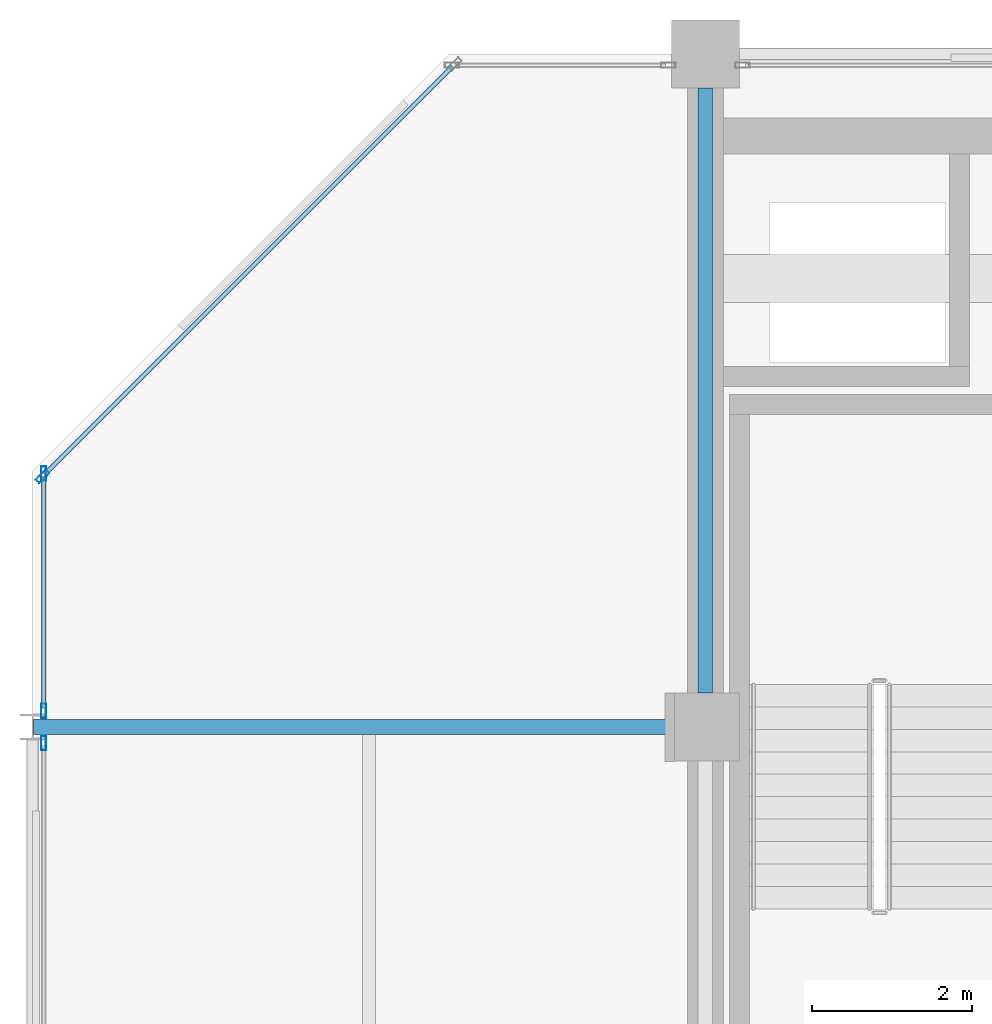
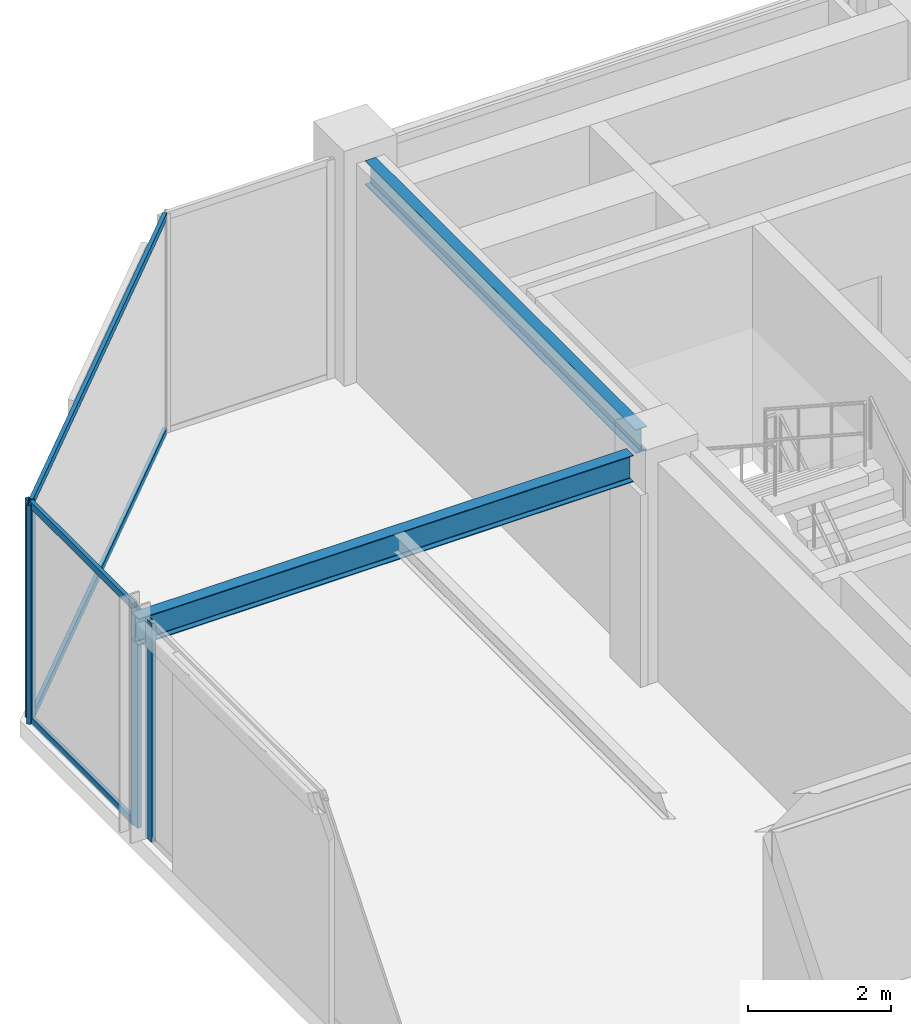
# One storey, part 17 of 26: 8 members, 2 beams, 3 elements without a shape of their own.
"""IFC4 building model written with IfcOpenShell, lengths in metres."""

import ifcopenshell
import ifcopenshell.guid

model = None  # the IFC model being written
_history = None  # IfcOwnerHistory: only IFC2X3 demands one
_inside = {}  # id of a spatial element -> (the spatial element, [elements in it])
_under = {}  # id of a project, library or spatial element -> (it, [spatial elements below it])
_declared = {}  # id of a project -> (the project, [libraries it declares])
_typed = {}  # id of a type object -> (the type object, [elements of that type])
_made_of = {}  # id of a material, layer set ... -> (it, [elements and type objects made of it])


def new_model(schema):
    """Start an empty IFC model of exactly this schema.

    Asked for "IFC4X3", IfcOpenShell would pick the latest addendum, in which some entities
    have other attributes; the version numbers below select the first issue.
    IFC2X3 requires an IfcOwnerHistory on every rooted entity: one is made here for all.
    """
    global model, _history
    if schema == "IFC4X3":
        model = ifcopenshell.file(schema_version=(4, 3, 0, 0))
    else:
        model = ifcopenshell.file(schema=schema)
    _inside.clear()
    _under.clear()
    _declared.clear()
    _typed.clear()
    _made_of.clear()
    _history = None
    if model.schema == "IFC2X3":
        org = make("IfcOrganization", Name="unknown")
        user = make(
            "IfcPersonAndOrganization",
            ThePerson=make("IfcPerson", FamilyName="unknown"),
            TheOrganization=org,
        )
        app = make(
            "IfcApplication",
            ApplicationDeveloper=org,
            Version="unknown",
            ApplicationFullName="unknown",
            ApplicationIdentifier="unknown",
        )
        _history = make(
            "IfcOwnerHistory",
            OwningUser=user,
            OwningApplication=app,
            ChangeAction="ADDED",
            CreationDate=0,
        )
    return model


def make(cls, **values):
    """One entity of the class cls with the attributes given. An attribute that is None is left unset."""
    return model.create_entity(
        cls, **{name: value for name, value in values.items() if value is not None}
    )


def rooted(cls, **values):
    """An entity with a GlobalId (a new one), such as an element, a storey or a relation."""
    return make(cls, GlobalId=ifcopenshell.guid.new(), OwnerHistory=_history, **values)


def si_unit(unit_type, name, prefix=None):
    """IfcSIUnit, for example si_unit("LENGTHUNIT", "METRE", prefix="MILLI")."""
    return make("IfcSIUnit", UnitType=unit_type, Prefix=prefix, Name=name)


def assignment(units):
    """IfcUnitAssignment: the units of a project."""
    return None if units is None else make("IfcUnitAssignment", Units=units)


def point(xyz):
    """IfcCartesianPoint."""
    return None if xyz is None else make("IfcCartesianPoint", Coordinates=xyz)


def direction(xyz):
    """IfcDirection."""
    return None if xyz is None else make("IfcDirection", DirectionRatios=xyz)


def frame(location, z_axis=None, x_axis=None):
    """IfcAxis2Placement3D, a coordinate frame: its origin and axes. An axis left out is left unset."""
    return make(
        "IfcAxis2Placement3D",
        Location=point(location),
        Axis=direction(z_axis),
        RefDirection=direction(x_axis),
    )


def frame_2d(location, x_axis=None):
    """IfcAxis2Placement2D, a coordinate frame in the plane: its origin and x axis."""
    return make(
        "IfcAxis2Placement2D", Location=point(location), RefDirection=direction(x_axis)
    )


def origin():
    """The frame at (0, 0, 0) with its axes left unset."""
    return frame((0.0, 0.0, 0.0))


def origin_2d():
    """The frame at (0, 0) in the plane with its x axis left unset."""
    return frame_2d((0.0, 0.0))


def place(relative_to, where):
    """IfcLocalPlacement: puts the frame where relative to a parent placement (None: the world)."""
    return make(
        "IfcLocalPlacement", PlacementRelTo=relative_to, RelativePlacement=where
    )


def context(
    kind, dimensions, precision=None, world=None, true_north=None, identifier=None
):
    """IfcGeometricRepresentationContext, for example the 3D "Model" context."""
    return make(
        "IfcGeometricRepresentationContext",
        ContextIdentifier=identifier,
        ContextType=kind,
        CoordinateSpaceDimension=dimensions,
        Precision=precision,
        WorldCoordinateSystem=world,
        TrueNorth=true_north,
    )


def subcontext(parent, identifier, kind, view, scale=None):
    """IfcGeometricRepresentationSubContext, for example "Body" below "Model"."""
    return make(
        "IfcGeometricRepresentationSubContext",
        ContextIdentifier=identifier,
        ContextType=kind,
        ParentContext=parent,
        TargetScale=scale,
        TargetView=view,
    )


def project(units=None, contexts=None):
    """IfcProject with its units and contexts."""
    return rooted(
        "IfcProject",
        Name="project",
        RepresentationContexts=contexts,
        UnitsInContext=assignment(units),
    )


def spatial(cls, under=None, at=None, **own):
    """A site, building, storey or space (cls), placed at a placement, below another one or the project."""
    s = rooted(cls, ObjectPlacement=at, **own)
    if under is not None:
        _under.setdefault(under.id(), (under, []))[1].append(s)
    return s


def profile(cls, at=None, kind="AREA", **sizes):
    """A parametric profile (cls). Its sizes go by their IFC names, for example OverallWidth=200.0."""
    return make(cls, ProfileType=kind, Position=at, **sizes)


def hollow_rectangle(**sizes):
    """IfcRectangleHollowProfileDef."""
    return profile("IfcRectangleHollowProfileDef", **sizes)


def i_section(**sizes):
    """IfcIShapeProfileDef."""
    return profile("IfcIShapeProfileDef", **sizes)


def extrude(swept, where, along, depth):
    """IfcExtrudedAreaSolid: the profile swept, set in the frame where, extruded along a direction by depth."""
    return make(
        "IfcExtrudedAreaSolid",
        SweptArea=swept,
        Position=where,
        ExtrudedDirection=direction(along),
        Depth=depth,
    )


def shape(context_of_items, identifier, shape_type, items):
    """IfcShapeRepresentation: the items that make up one representation, for example the "Body"."""
    return make(
        "IfcShapeRepresentation",
        ContextOfItems=context_of_items,
        RepresentationIdentifier=identifier,
        RepresentationType=shape_type,
        Items=items,
    )


def material(Name=None, Category=None):
    """IfcMaterial."""
    return make("IfcMaterial", Name=Name, Category=Category)


def layer(
    of_material, thickness, ventilated=None, Name=None, Category=None, Priority=None
):
    """IfcMaterialLayer: one layer of a wall or slab, of a material (None: an air gap)."""
    return make(
        "IfcMaterialLayer",
        Material=of_material,
        LayerThickness=thickness,
        IsVentilated=ventilated,
        Name=Name,
        Category=Category,
        Priority=Priority,
    )


def layer_set(layers, Name=None):
    """IfcMaterialLayerSet."""
    return make("IfcMaterialLayerSet", MaterialLayers=layers, LayerSetName=Name)


def material_profile(
    of_material, cross_section, Name=None, Category=None, Priority=None
):
    """IfcMaterialProfile: a cross section and its material."""
    return make(
        "IfcMaterialProfile",
        Name=Name,
        Material=of_material,
        Profile=cross_section,
        Priority=Priority,
        Category=Category,
    )


def profile_set(profiles, Name=None, composite=None):
    """IfcMaterialProfileSet."""
    return make(
        "IfcMaterialProfileSet",
        Name=Name,
        MaterialProfiles=profiles,
        CompositeProfile=composite,
    )


def made_of(thing, what):
    """Note that an element or type object is made of a material, layer set ...; save() writes the relation."""
    if what is not None:
        _made_of.setdefault(what.id(), (what, []))[1].append(thing)
    return thing


def type_object(cls, material=None, **own):
    """A type object (cls), such as IfcWallType, which elements share."""
    return made_of(rooted(cls, **own), material)


def element(
    cls,
    number,
    at=None,
    inside=None,
    cuts=None,
    type_object=None,
    material=None,
    context=None,
    identifier="Body",
    shape_type=None,
    held_by="IfcProductDefinitionShape",
    body=None,
    shapes=None,
    **own,
):
    """One element of the class cls, such as IfcWall. Its Tag is "e" and its number.

    at: its placement. inside: the storey or other place that contains it. cuts: it is an
    opening in that element (IfcRelVoidsElement). A single representation is given by context,
    identifier, shape_type and body (its items); several are given by shapes. held_by: the class
    of the entity that holds the representations. save() writes the other relations.
    """
    e = rooted(cls, Tag="e%d" % number, ObjectPlacement=at, **own)
    if body is not None:
        shapes = [shape(context, identifier, shape_type, body)]
    if shapes is not None:
        e.Representation = make(held_by, Representations=shapes)
    if inside is not None:
        _inside.setdefault(inside.id(), (inside, []))[1].append(e)
    if cuts is not None:
        rooted(
            "IfcRelVoidsElement", RelatingBuildingElement=cuts, RelatedOpeningElement=e
        )
    if type_object is not None:
        _typed.setdefault(type_object.id(), (type_object, []))[1].append(e)
    return made_of(e, material)


def aggregate(whole, parts):
    """IfcRelAggregates: a whole, such as a stair, and the parts it consists of."""
    return rooted("IfcRelAggregates", RelatingObject=whole, RelatedObjects=parts)


def save(model, path):
    """Write the relations noted so far, then the file.

    IfcRelAggregates (storeys below a building ...), IfcRelContainedInSpatialStructure (elements
    in a storey), IfcRelDefinesByType, IfcRelAssociatesMaterial and IfcRelDeclares: one each for
    every whole, place, type object, material and project.
    """
    for whole, parts in _under.values():
        aggregate(whole, parts)
    for where, things in _inside.values():
        rooted(
            "IfcRelContainedInSpatialStructure",
            RelatedElements=things,
            RelatingStructure=where,
        )
    for kind, things in _typed.values():
        rooted("IfcRelDefinesByType", RelatedObjects=things, RelatingType=kind)
    for what, things in _made_of.values():
        rooted("IfcRelAssociatesMaterial", RelatedObjects=things, RelatingMaterial=what)
    for by, libraries in _declared.values():
        rooted("IfcRelDeclares", RelatingContext=by, RelatedDefinitions=libraries)
    model.write(path)


model = new_model("IFC4")

# Units and contexts
model_context = context("Model", 3, precision=1e-05, world=origin(), true_north=direction((0.0, 1.0)))
body_context = subcontext(model_context, "Body", "Model", "MODEL_VIEW")
ifc_project = project(units=[si_unit("LENGTHUNIT", "METRE"), si_unit("AREAUNIT", "SQUARE_METRE"), si_unit("VOLUMEUNIT", "CUBIC_METRE"), si_unit("PLANEANGLEUNIT", "RADIAN"), si_unit("MASSUNIT", "GRAM", prefix="KILO")], contexts=[model_context])

# Site, building, storey
site_placement = place(None, origin())
site = spatial("IfcSite", under=ifc_project, at=site_placement, CompositionType="ELEMENT")
building_placement = place(site_placement, origin())
building = spatial("IfcBuilding", under=site, at=building_placement, Name="Nerrivon Quay Data Exchange", CompositionType="ELEMENT")
storey_placement = place(building_placement, frame((0.0, 0.0, 274.199951171875)))
storey = spatial("IfcBuildingStorey", under=building, at=storey_placement, Name="L65", CompositionType="ELEMENT", Elevation=274.199951171875)

# Beams
ifc_material_1 = material(Name="Steel Grade 350", Category="steel")
ifc_material_profile_1 = material_profile(ifc_material_1, i_section(OverallWidth=0.18994140625, OverallDepth=0.4541015625, WebThickness=0.008544921875, FlangeThickness=0.0126953125, FilletRadius=0.011474609375, at=origin_2d()), Name="460UB67.1")
ifc_profile_set_1 = profile_set([ifc_material_profile_1], Name="Steel Grade 350")
beam_type_1 = type_object("IfcBeamType", Name="BM-G6-460UB67", PredefinedType="BEAM", material=ifc_profile_set_1)
beam_1_placement = place(storey_placement, frame((0.0078125, 33.60009765625, 3.498046875), z_axis=(1.0, 0.0, 0.0), x_axis=(0.0, 1.0, 0.0)))
element("IfcBeam", 1, at=beam_1_placement, inside=storey, type_object=beam_type_1, Name="L65 EW Girder Y=33.6 (0.0..8.4)", PredefinedType="BEAM", context=body_context, shape_type="SweptSolid", body=[
    extrude(i_section(OverallWidth=0.18994140625, OverallDepth=0.4541015625, WebThickness=0.008544921875, FlangeThickness=0.0126953125, FilletRadius=0.011474609375, at=origin_2d()), origin(), (0.0, 0.0, 1.0), 7.96728515625),
])
ifc_material_profile_2 = material_profile(ifc_material_1, i_section(OverallWidth=0.177978515625, OverallDepth=0.406005859375, WebThickness=0.0078125, FlangeThickness=0.0126953125, FilletRadius=0.011474609375, at=origin_2d()), Name="410UB59.7")
ifc_profile_set_2 = profile_set([ifc_material_profile_2], Name="Steel Grade 350")
beam_type_2 = type_object("IfcBeamType", Name="BM-J1-410UB60", PredefinedType="JOIST", material=ifc_profile_set_2)
beam_2_placement = place(storey_placement, frame((8.39990234375, 34.02490234375, 3.52197265625), z_axis=(0.0, 1.0, 0.0), x_axis=(-1.0, 0.0, 0.0)))
element("IfcBeam", 2, at=beam_2_placement, inside=storey, type_object=beam_type_2, Name="L65 NS Girder X=8.4 (33.6..42.0)", PredefinedType="JOIST", context=body_context, shape_type="SweptSolid", body=[
    extrude(i_section(OverallWidth=0.177978515625, OverallDepth=0.406005859375, WebThickness=0.0078125, FlangeThickness=0.0126953125, FilletRadius=0.011474609375, at=origin_2d()), origin(), (0.0, 0.0, 1.0), 7.550048828125),
])

# Curtain wall, member
ifc_material_2 = material(Name="Anodised aluminium 6063-T6", Category="aluminium")
ifc_layer = layer(ifc_material_2, 0.195068359375)
ifc_layer_set = layer_set([ifc_layer], Name="Anodised aluminium 6063-T6")
curtain_wall_type = type_object("IfcCurtainWallType", Name="CW-SYS-06", PredefinedType="NOTDEFINED", material=ifc_layer_set)
curtain_wall_1_placement = place(storey_placement, origin())
curtain_wall_1 = element("IfcCurtainWall", 3, at=curtain_wall_1_placement, inside=storey, type_object=curtain_wall_type, Name="L65 Unitised Curtain Wall 14", PredefinedType="NOTDEFINED")
ifc_material_profile_3 = material_profile(ifc_material_2, hollow_rectangle(XDim=0.06494140625, YDim=0.179931640625, WallThickness=0.00341796875, at=origin_2d()), Name="ALU-MULL-180x65")
ifc_profile_set_3 = profile_set([ifc_material_profile_3], Name="Anodised aluminium 6063-T6")
member_type_1 = type_object("IfcMemberType", Name="CWM-180x65", PredefinedType="MULLION", material=ifc_profile_set_3)
member_1_placement = place(storey_placement, frame((0.139892578125, 33.39892578125, 0.0), z_axis=(0.0, 0.0, 1.0), x_axis=(-1.0, 0.0, 0.0)))
member_1 = element("IfcMember", 4, at=member_1_placement, type_object=member_type_1, Name="CW06 mullion 2", PredefinedType="MULLION", context=body_context, shape_type="SweptSolid", body=[
    extrude(hollow_rectangle(XDim=0.06494140625, YDim=0.179931640625, WallThickness=0.00341796875, at=origin_2d()), origin(), (0.0, 0.0, 1.0), 3.72509765625),
])
aggregate(curtain_wall_1, [member_1])

# Curtain wall, members
curtain_wall_2_placement = place(storey_placement, origin())
curtain_wall_2 = element("IfcCurtainWall", 5, at=curtain_wall_2_placement, inside=storey, type_object=curtain_wall_type, Name="L65 Unitised Curtain Wall 15", PredefinedType="NOTDEFINED")
member_2_placement = place(storey_placement, frame((0.139892578125, 33.801025390625, 0.0), z_axis=(0.0, 0.0, 1.0), x_axis=(-1.0, 0.0, 0.0)))
member_2 = element("IfcMember", 6, at=member_2_placement, type_object=member_type_1, Name="CW06 mullion 1", PredefinedType="MULLION", context=body_context, shape_type="SweptSolid", body=[
    extrude(hollow_rectangle(XDim=0.06494140625, YDim=0.179931640625, WallThickness=0.00341796875, at=origin_2d()), origin(), (0.0, 0.0, 1.0), 3.72509765625),
])
member_3_placement = place(storey_placement, frame((0.139892578125, 36.762451171875, 0.0), z_axis=(0.0, 0.0, 1.0), x_axis=(-1.0, 0.0, 0.0)))
member_3 = element("IfcMember", 7, at=member_3_placement, type_object=member_type_1, Name="CW06 mullion 2", PredefinedType="MULLION", context=body_context, shape_type="SweptSolid", body=[
    extrude(hollow_rectangle(XDim=0.06494140625, YDim=0.179931640625, WallThickness=0.00341796875, at=origin_2d()), origin(), (0.0, 0.0, 1.0), 3.72509765625),
])

# Curtain wall, member
curtain_wall_3_placement = place(storey_placement, origin())
curtain_wall_3 = element("IfcCurtainWall", 8, at=curtain_wall_3_placement, inside=storey, type_object=curtain_wall_type, Name="L65 Unitised Curtain Wall 16", PredefinedType="NOTDEFINED")
member_4_placement = place(storey_placement, frame((0.12548828125, 36.7275390625, 0.0), z_axis=(0.0, 0.0, 1.0), x_axis=(-0.707106781187, 0.707106781187, 0.0)))
member_4 = element("IfcMember", 9, at=member_4_placement, type_object=member_type_1, Name="CW06 mullion 1", PredefinedType="MULLION", context=body_context, shape_type="SweptSolid", body=[
    extrude(hollow_rectangle(XDim=0.06494140625, YDim=0.179931640625, WallThickness=0.00341796875, at=origin_2d()), origin(), (0.0, 0.0, 1.0), 3.72509765625),
])

# Member
ifc_material_profile_4 = material_profile(ifc_material_2, hollow_rectangle(XDim=0.06005859375, YDim=0.1201171875, WallThickness=0.003173828125, at=origin_2d()), Name="ALU-TRAN-120x60")
ifc_profile_set_4 = profile_set([ifc_material_profile_4], Name="Anodised aluminium 6063-T6")
member_type_2 = type_object("IfcMemberType", Name="CWT-120x60", PredefinedType="USERDEFINED", material=ifc_profile_set_4)
member_5_placement = place(storey_placement, frame((0.139892578125, 33.83837890625, 0.032470703125), z_axis=(0.0, 1.0, 0.0), x_axis=(-1.0, 0.0, 0.0)))
member_5 = element("IfcMember", 10, at=member_5_placement, type_object=member_type_2, Name="CW06 transom 1.1", ObjectType="TRANSOM", PredefinedType="USERDEFINED", context=body_context, shape_type="SweptSolid", body=[
    extrude(hollow_rectangle(XDim=0.06005859375, YDim=0.1201171875, WallThickness=0.003173828125, at=origin_2d()), origin(), (0.0, 0.0, 1.0), 2.88671875),
])

member_6_placement = place(storey_placement, frame((0.139892578125, 33.83837890625, 3.692626953125), z_axis=(0.0, 1.0, 0.0), x_axis=(-1.0, 0.0, 0.0)))
member_6 = element("IfcMember", 11, at=member_6_placement, type_object=member_type_2, Name="CW06 transom 1.2", ObjectType="TRANSOM", PredefinedType="USERDEFINED", context=body_context, shape_type="SweptSolid", body=[
    extrude(hollow_rectangle(XDim=0.06005859375, YDim=0.1201171875, WallThickness=0.003173828125, at=origin_2d()), origin(), (0.0, 0.0, 1.0), 2.88671875),
])

aggregate(curtain_wall_2, [member_2, member_3, member_5, member_6])

member_7_placement = place(storey_placement, frame((0.152099609375, 36.754150390625, 0.032470703125), z_axis=(0.707106781187, 0.707106781187, 0.0), x_axis=(-0.707106781187, 0.707106781187, 0.0)))
member_7 = element("IfcMember", 12, at=member_7_placement, type_object=member_type_2, Name="CW06 transom 1.1", ObjectType="TRANSOM", PredefinedType="USERDEFINED", context=body_context, shape_type="SweptSolid", body=[
    extrude(hollow_rectangle(XDim=0.06005859375, YDim=0.1201171875, WallThickness=0.003173828125, at=origin_2d()), origin(), (0.0, 0.0, 1.0), 7.20361328125),
])

member_8_placement = place(storey_placement, frame((0.152099609375, 36.754150390625, 3.692626953125), z_axis=(0.707106781187, 0.707106781187, 0.0), x_axis=(-0.707106781187, 0.707106781187, 0.0)))
member_8 = element("IfcMember", 13, at=member_8_placement, type_object=member_type_2, Name="CW06 transom 1.2", ObjectType="TRANSOM", PredefinedType="USERDEFINED", context=body_context, shape_type="SweptSolid", body=[
    extrude(hollow_rectangle(XDim=0.06005859375, YDim=0.1201171875, WallThickness=0.003173828125, at=origin_2d()), origin(), (0.0, 0.0, 1.0), 7.20361328125),
])

aggregate(curtain_wall_3, [member_4, member_7, member_8])

save(model, "model.ifc")
